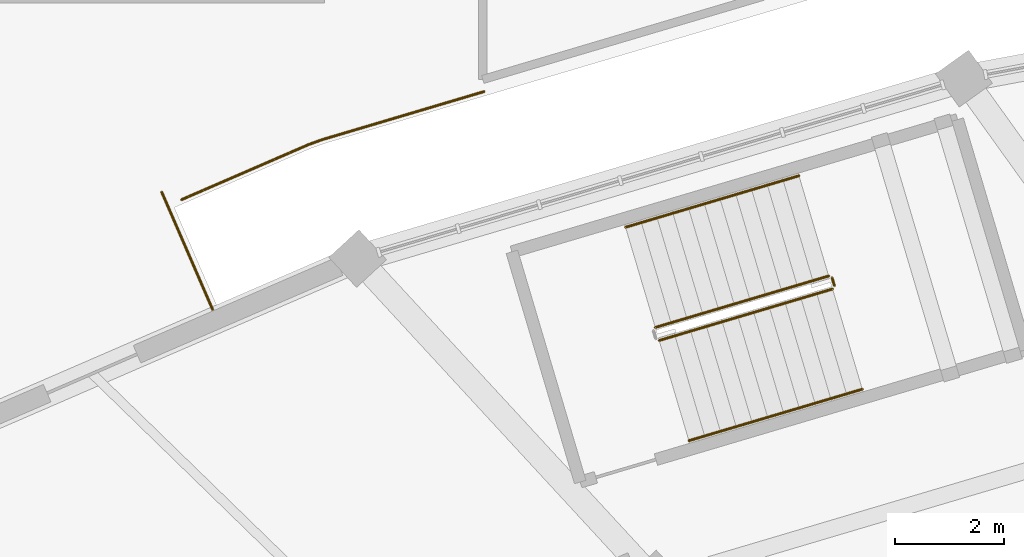
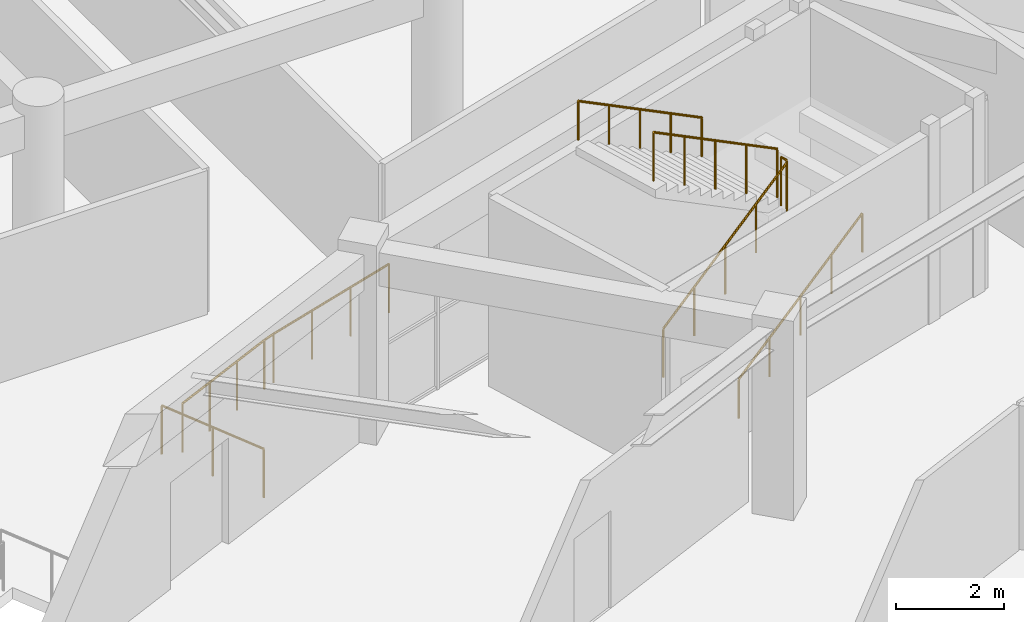
# One storey, part 134 of 141: 7 railings.
"""IFC4 building model written with IfcOpenShell, lengths in metres."""

from ifc_helpers import new_model, si_unit, direction, frame, origin, origin_2d, place, context, subcontext, project, spatial, circle, extrude, material, type_object, element, save


model = new_model("IFC4")

# Units and contexts
model_context = context("Model", 3, precision=1e-05, world=origin(), true_north=direction((0.0, 1.0)))
body_context = subcontext(model_context, "Body", "Model", "MODEL_VIEW")
ifc_project = project(units=[si_unit("LENGTHUNIT", "METRE"), si_unit("AREAUNIT", "SQUARE_METRE"), si_unit("VOLUMEUNIT", "CUBIC_METRE"), si_unit("PLANEANGLEUNIT", "RADIAN"), si_unit("MASSUNIT", "GRAM", prefix="KILO")], contexts=[model_context])

# Site, building, storey
site_placement = place(None, origin())
site = spatial("IfcSite", under=ifc_project, at=site_placement, CompositionType="ELEMENT")
building_placement = place(site_placement, origin())
building = spatial("IfcBuilding", under=site, at=building_placement, Name="Mphavela Belvedere Stadium", CompositionType="ELEMENT")
storey_placement = place(building_placement, frame((0.0, 0.0, 14.699951171875)))
storey = spatial("IfcBuildingStorey", under=building, at=storey_placement, Name="L03", CompositionType="ELEMENT", Elevation=14.699951171875)

# Railings
ifc_material_1 = material(Name="Bronze and laminated glass stadium balustrade", Category="glass")
railing_type_1 = type_object("IfcRailingType", Name="RAL-BALUSTRADE-1120", PredefinedType="BALUSTRADE", material=ifc_material_1)
railing_1_placement = place(storey_placement, frame((51.397216796875, 152.15380859375, 0.0)))
element("IfcRailing", 1, at=railing_1_placement, inside=storey, type_object=railing_type_1, Name="Colonnade link bridge balustrade L03-17A", PredefinedType="BALUSTRADE", context=body_context, shape_type="SweptSolid", body=[
    extrude(circle(Radius=0.02392578125, at=origin_2d()), frame((0.0, 0.0, 1.09619140625), z_axis=(-0.397677406785, 0.917525302176, 0.0), x_axis=(-0.917525302176, -0.397677406785, 0.0)), (0.0, 0.0, 1.0), 2.35009765625),
    extrude(circle(Radius=0.02099609375, at=origin_2d()), origin(), (0.0, 0.0, 1.0), 1.072021484375),
    extrude(circle(Radius=0.02099609375, at=origin_2d()), frame((-0.46728515625, 1.078125, 0.0)), (0.0, 0.0, 1.0), 1.072021484375),
    extrude(circle(Radius=0.02099609375, at=origin_2d()), frame((-0.9345703125, 2.15625, 0.0)), (0.0, 0.0, 1.0), 1.072021484375),
])
railing_2_placement = place(storey_placement, frame((56.3837890625, 156.15869140625, 0.0)))
element("IfcRailing", 2, at=railing_2_placement, inside=storey, type_object=railing_type_1, Name="Peristyle wing gallery edge balustrade L03-33", PredefinedType="BALUSTRADE", context=body_context, shape_type="SweptSolid", body=[
    extrude(circle(Radius=0.02392578125, at=origin_2d()), frame((0.0, 0.0, 1.09619140625), z_axis=(-0.958628081437, -0.284661556028, 0.0), x_axis=(0.284661556028, -0.958628081437, 0.0)), (0.0, 0.0, 1.0), 3.10302734375),
    extrude(circle(Radius=0.02392578125, at=origin_2d()), frame((-2.974609375, -0.88330078125, 1.09619140625), z_axis=(-0.939740596708, -0.341888301786, 0.0), x_axis=(0.341888301786, -0.939740596708, 0.0)), (0.0, 0.0, 1.0), 0.27001953125),
    extrude(circle(Radius=0.02392578125, at=origin_2d()), frame((-3.228271484375, -0.9755859375, 1.09619140625), z_axis=(-0.917490104343, -0.397758605731, 0.0), x_axis=(0.397758605731, -0.917490104343, 0.0)), (0.0, 0.0, 1.0), 2.5380859375),
    extrude(circle(Radius=0.02099609375, at=origin_2d()), origin(), (0.0, 0.0, 1.0), 1.072021484375),
    extrude(circle(Radius=0.02099609375, at=origin_2d()), frame((-0.991455078125, -0.29443359375, 0.0)), (0.0, 0.0, 1.0), 1.072021484375),
    extrude(circle(Radius=0.02099609375, at=origin_2d()), frame((-1.983154296875, -0.5888671875, 0.0)), (0.0, 0.0, 1.0), 1.072021484375),
    extrude(circle(Radius=0.02099609375, at=origin_2d()), frame((-2.974609375, -0.88330078125, 0.0)), (0.0, 0.0, 1.0), 1.072021484375),
    extrude(circle(Radius=0.02099609375, at=origin_2d()), frame((-3.228271484375, -0.9755859375, 0.0)), (0.0, 0.0, 1.0), 1.072021484375),
    extrude(circle(Radius=0.02099609375, at=origin_2d()), frame((-4.00439453125, -1.31201171875, 0.0)), (0.0, 0.0, 1.0), 1.072021484375),
    extrude(circle(Radius=0.02099609375, at=origin_2d()), frame((-4.78076171875, -1.648681640625, 0.0)), (0.0, 0.0, 1.0), 1.072021484375),
    extrude(circle(Radius=0.02099609375, at=origin_2d()), frame((-5.556884765625, -1.985107421875, 0.0)), (0.0, 0.0, 1.0), 1.072021484375),
])
ifc_material_2 = material(Name="Painted galvanised steel stair guardrail", Category="steel")
railing_type_2 = type_object("IfcRailingType", Name="RAL-GUARD-1120", PredefinedType="GUARDRAIL", material=ifc_material_2)
railing_3_placement = place(storey_placement, frame((59.60009765625, 151.58642578125, 0.1875)))
element("IfcRailing", 3, at=railing_3_placement, inside=storey, type_object=railing_type_2, Name="L03 ST-P03 stair guard 1", PredefinedType="GUARDRAIL", context=body_context, shape_type="SweptSolid", body=[
    extrude(circle(Radius=0.02392578125, at=origin_2d()), frame((0.0, 0.0, 1.09619140625), z_axis=(0.814456163261, 0.241701917202, 0.527485868386), x_axis=(-0.284501194376, 0.958675685724, 0.0)), (0.0, 0.0, 1.0), 3.91015625),
    extrude(circle(Radius=0.02099609375, at=origin_2d()), origin(), (0.0, 0.0, 1.0), 1.072021484375),
    extrude(circle(Radius=0.02099609375, at=origin_2d()), frame((0.796142578125, 0.236328125, 0.515625)), (0.0, 0.0, 1.0), 1.072021484375),
    extrude(circle(Radius=0.02099609375, at=origin_2d()), frame((1.59228515625, 0.47265625, 1.03125)), (0.0, 0.0, 1.0), 1.072021484375),
    extrude(circle(Radius=0.02099609375, at=origin_2d()), frame((2.388427734375, 0.708740234375, 1.546875)), (0.0, 0.0, 1.0), 1.072021484375),
    extrude(circle(Radius=0.02099609375, at=origin_2d()), frame((3.1845703125, 0.945068359375, 2.0625)), (0.0, 0.0, 1.0), 1.072021484375),
])
railing_4_placement = place(storey_placement, frame((62.818359375, 152.59375, 2.25)))
element("IfcRailing", 4, at=railing_4_placement, inside=storey, type_object=railing_type_2, Name="L03 ST-P03 stair guard 2", PredefinedType="GUARDRAIL", context=body_context, shape_type="SweptSolid", body=[
    extrude(circle(Radius=0.02392578125, at=origin_2d()), frame((0.0, 0.0, 1.09619140625), z_axis=(-0.284808608521, 0.958584402394, 0.0), x_axis=(-0.958584402394, -0.284808608521, 0.0)), (0.0, 0.0, 1.0), 0.14990234375),
    extrude(circle(Radius=0.02099609375, at=origin_2d()), origin(), (0.0, 0.0, 1.0), 1.072021484375),
    extrude(circle(Radius=0.02099609375, at=origin_2d()), frame((-0.042724609375, 0.143798828125, 0.0)), (0.0, 0.0, 1.0), 1.072021484375),
])
railing_5_placement = place(storey_placement, frame((62.713623046875, 152.771240234375, 2.4375)))
element("IfcRailing", 5, at=railing_5_placement, inside=storey, type_object=railing_type_2, Name="L03 ST-P03 stair guard 3", PredefinedType="GUARDRAIL", context=body_context, shape_type="SweptSolid", body=[
    extrude(circle(Radius=0.02392578125, at=origin_2d()), frame((0.0, 0.0, 1.09619140625), z_axis=(-0.814464890619, -0.241748413682, 0.527451084396), x_axis=(0.284548690927, -0.95866158914, 0.0)), (0.0, 0.0, 1.0), 3.910400390625),
    extrude(circle(Radius=0.02099609375, at=origin_2d()), origin(), (0.0, 0.0, 1.0), 1.072021484375),
    extrude(circle(Radius=0.02099609375, at=origin_2d()), frame((-0.796142578125, -0.236328125, 0.515625)), (0.0, 0.0, 1.0), 1.072021484375),
    extrude(circle(Radius=0.02099609375, at=origin_2d()), frame((-1.59228515625, -0.47265625, 1.03125)), (0.0, 0.0, 1.0), 1.072021484375),
    extrude(circle(Radius=0.02099609375, at=origin_2d()), frame((-2.388671875, -0.708984375, 1.546875)), (0.0, 0.0, 1.0), 1.072021484375),
    extrude(circle(Radius=0.02099609375, at=origin_2d()), frame((-3.184814453125, -0.9453125, 2.0625)), (0.0, 0.0, 1.0), 1.072021484375),
])
ifc_material_3 = material(Name="Brushed stainless steel tubular handrail", Category="steel")
railing_type_3 = type_object("IfcRailingType", Name="RAL-HANDRAIL-900", PredefinedType="HANDRAIL", material=ifc_material_3)
railing_6_placement = place(storey_placement, frame((60.146240234375, 149.74560546875, 0.1875)))
element("IfcRailing", 6, at=railing_6_placement, inside=storey, type_object=railing_type_3, Name="L03 ST-P03 stair handrail 1", PredefinedType="HANDRAIL", context=body_context, shape_type="SweptSolid", body=[
    extrude(circle(Radius=0.02392578125, at=origin_2d()), frame((0.0, 0.0, 0.8759765625), z_axis=(0.814464890619, 0.241748413682, 0.527451084396), x_axis=(-0.284548690927, 0.95866158914, 0.0)), (0.0, 0.0, 1.0), 3.910400390625),
    extrude(circle(Radius=0.02099609375, at=origin_2d()), origin(), (0.0, 0.0, 1.0), 0.851806640625),
    extrude(circle(Radius=0.02099609375, at=origin_2d()), frame((0.796142578125, 0.236328125, 0.515625)), (0.0, 0.0, 1.0), 0.851806640625),
    extrude(circle(Radius=0.02099609375, at=origin_2d()), frame((1.59228515625, 0.47265625, 1.03125)), (0.0, 0.0, 1.0), 0.851806640625),
    extrude(circle(Radius=0.02099609375, at=origin_2d()), frame((2.388671875, 0.708984375, 1.546875)), (0.0, 0.0, 1.0), 0.851806640625),
    extrude(circle(Radius=0.02099609375, at=origin_2d()), frame((3.184814453125, 0.9453125, 2.0625)), (0.0, 0.0, 1.0), 0.851806640625),
])
railing_7_placement = place(storey_placement, frame((62.167236328125, 154.61181640625, 2.4375)))
element("IfcRailing", 7, at=railing_7_placement, inside=storey, type_object=railing_type_3, Name="L03 ST-P03 stair handrail 2", PredefinedType="HANDRAIL", context=body_context, shape_type="SweptSolid", body=[
    extrude(circle(Radius=0.02392578125, at=origin_2d()), frame((0.0, 0.0, 0.8759765625), z_axis=(-0.814443870456, -0.241760707329, 0.527477906901), x_axis=(0.28456873899, -0.958655638271, 0.0)), (0.0, 0.0, 1.0), 3.91015625),
    extrude(circle(Radius=0.02099609375, at=origin_2d()), origin(), (0.0, 0.0, 1.0), 0.851806640625),
    extrude(circle(Radius=0.02099609375, at=origin_2d()), frame((-0.796142578125, -0.236328125, 0.515625)), (0.0, 0.0, 1.0), 0.851806640625),
    extrude(circle(Radius=0.02099609375, at=origin_2d()), frame((-1.59228515625, -0.47265625, 1.03125)), (0.0, 0.0, 1.0), 0.851806640625),
    extrude(circle(Radius=0.02099609375, at=origin_2d()), frame((-2.388427734375, -0.708984375, 1.546875)), (0.0, 0.0, 1.0), 0.851806640625),
    extrude(circle(Radius=0.02099609375, at=origin_2d()), frame((-3.1845703125, -0.9453125, 2.0625)), (0.0, 0.0, 1.0), 0.851806640625),
])

save(model, "model.ifc")
